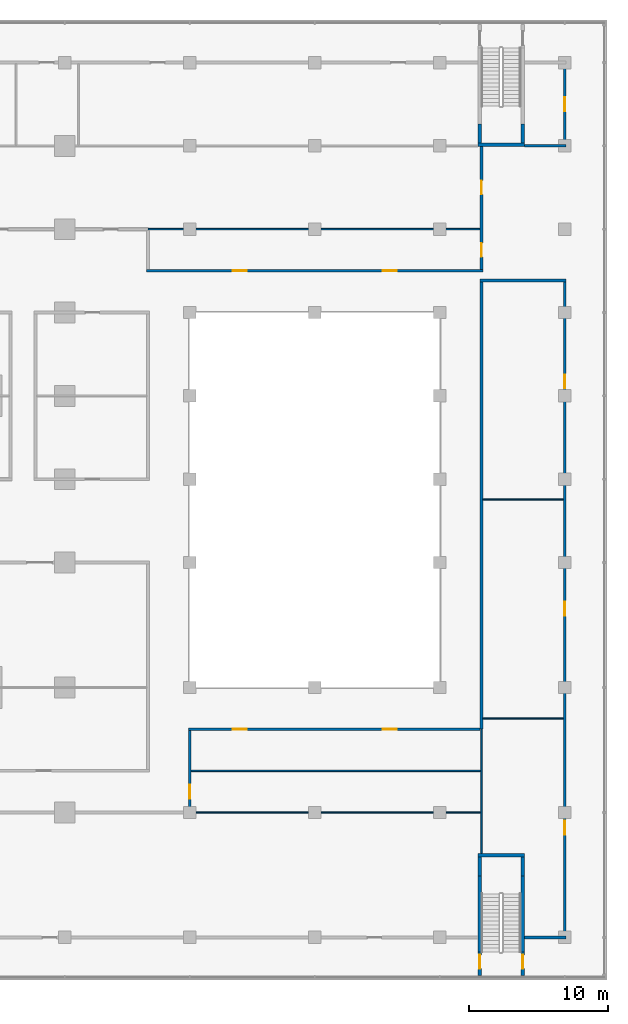
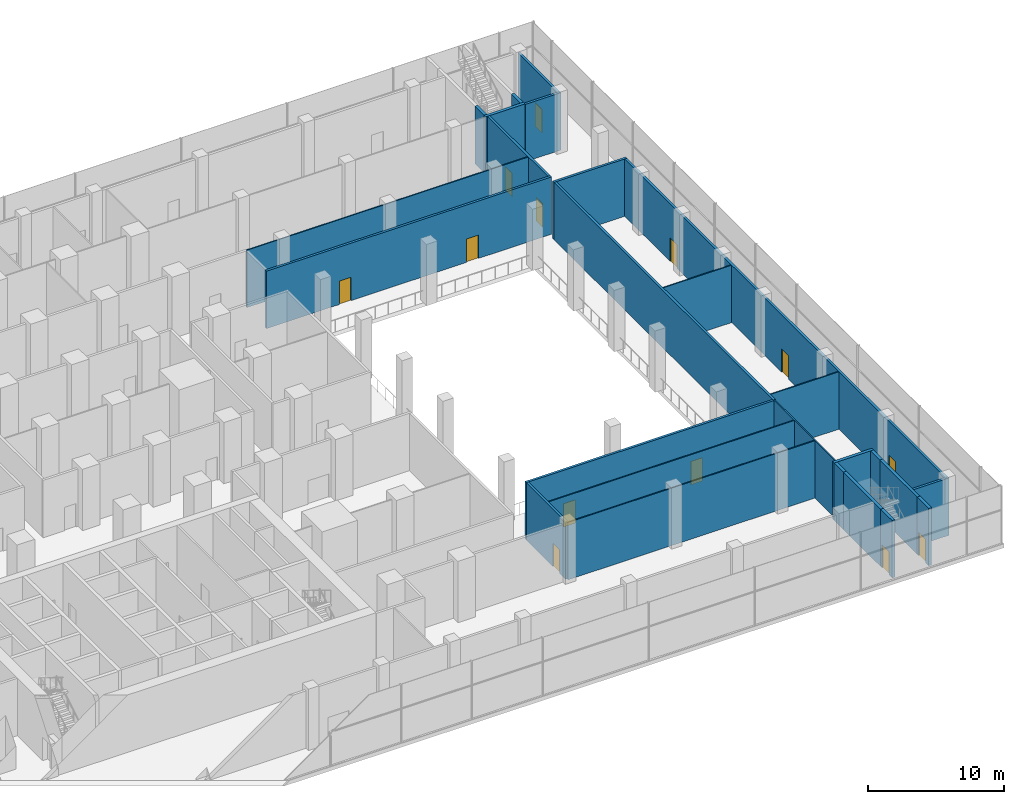
# One storey, part 17 of 22: 26 walls, 13 doors, 13 openings.
"""IFC4 building model written with IfcOpenShell, lengths in metres."""

from ifc_helpers import new_model, si_unit, direction, frame, frame_2d, origin, place, context, subcontext, project, spatial, rectangle, extrude, material, layer, layer_set, type_object, element, fill, save


model = new_model("IFC4")

# Units and contexts
model_context = context("Model", 3, precision=1e-05, world=origin(), true_north=direction((0.0, 1.0)))
body_context = subcontext(model_context, "Body", "Model", "MODEL_VIEW")
ifc_project = project(units=[si_unit("LENGTHUNIT", "METRE"), si_unit("AREAUNIT", "SQUARE_METRE"), si_unit("VOLUMEUNIT", "CUBIC_METRE"), si_unit("PLANEANGLEUNIT", "RADIAN"), si_unit("MASSUNIT", "GRAM", prefix="KILO")], contexts=[model_context])

# Site, building, storey
site_placement = place(None, origin())
site = spatial("IfcSite", under=ifc_project, at=site_placement, CompositionType="ELEMENT")
building_placement = place(site_placement, origin())
building = spatial("IfcBuilding", under=site, at=building_placement, Name="Finial Court Residences", CompositionType="ELEMENT")
storey_placement = place(building_placement, frame((0.0, 0.0, 8.0)))
storey = spatial("IfcBuildingStorey", under=building, at=storey_placement, Name="L01", CompositionType="ELEMENT", Elevation=8.0)

# Wall
ifc_material_1 = material(Name="Gypsum board")
ifc_layer_1 = layer(ifc_material_1, 0.02490234375)
ifc_material_2 = material(Name="Acoustic mineral wool in double frame")
ifc_layer_2 = layer(ifc_material_2, 0.14990234375)
ifc_layer_3 = layer(ifc_material_1, 0.02490234375)
ifc_layer_set_1 = layer_set([ifc_layer_1, ifc_layer_2, ifc_layer_3], Name="Corridor wall 200, 1 hour")
wall_type_1 = type_object("IfcWallType", Name="Corridor wall 200, 1 hour", PredefinedType="PARTITIONING", material=ifc_layer_set_1)
wall_1_placement = place(storey_placement, frame((55.60009765625, -31.5, 0.0), z_axis=(0.0, 0.0, 1.0), x_axis=(1.0, 0.0, 0.0)))
element("IfcWall", 1, at=wall_1_placement, inside=storey, type_object=wall_type_1, Name="Partition L01-002", PredefinedType="PARTITIONING", context=body_context, shape_type="SweptSolid", body=[
    extrude(rectangle(XDim=3.0, YDim=0.199951171875, at=frame_2d((1.5, 0.0))), origin(), (0.0, 0.0, 1.0), 5.14990234375),
])

# Wall, openings, doors
wall_2_placement = place(storey_placement, frame((31.39990234375, -16.5, 0.0), z_axis=(0.0, 0.0, 1.0), x_axis=(1.0, 0.0, 0.0)))
wall_2 = element("IfcWall", 2, at=wall_2_placement, inside=storey, type_object=wall_type_1, Name="Partition L01-011", PredefinedType="PARTITIONING", context=body_context, shape_type="SweptSolid", body=[
    extrude(rectangle(XDim=21.0, YDim=0.199951171875, at=frame_2d((10.5, 0.0))), origin(), (0.0, 0.0, 1.0), 5.14990234375),
])
opening_1_placement = place(wall_2_placement, frame((3.199951171875, 0.0, 0.0)))
opening_1 = element("IfcOpeningElement", 3, at=opening_1_placement, cuts=wall_2, Name="Opening L01-D008", PredefinedType="OPENING", context=body_context, shape_type="SweptSolid", body=[
    extrude(rectangle(XDim=1.0, YDim=2.10009765625, at=frame_2d((0.5, 1.050048828125))), frame((0.0, 0.10986328125, 0.0), z_axis=(0.0, -1.0, 0.0), x_axis=(1.0, 0.0, 0.0)), (0.0, 0.0, 1.0), 0.219970703125),
])
opening_2_placement = place(wall_2_placement, frame((14.0, 0.0, 0.0)))
opening_2 = element("IfcOpeningElement", 4, at=opening_2_placement, cuts=wall_2, Name="Opening L01-D009", PredefinedType="OPENING", context=body_context, shape_type="SweptSolid", body=[
    extrude(rectangle(XDim=1.0, YDim=2.10009765625, at=frame_2d((0.5, 1.050048828125))), frame((0.0, 0.10986328125, 0.0), z_axis=(0.0, -1.0, 0.0), x_axis=(1.0, 0.0, 0.0)), (0.0, 0.0, 1.0), 0.219970703125),
])
ifc_material_3 = material(Name="Timber door leaf in hollow metal frame", Category="wood")
door_type_1 = type_object("IfcDoorType", Name="Fire door set 1000 x 2100, 30 minutes", OperationType="SINGLE_SWING_LEFT", PredefinedType="DOOR", material=ifc_material_3)
door_1_placement = place(opening_1_placement, origin())
door_1 = element("IfcDoor", 5, at=door_1_placement, inside=storey, type_object=door_type_1, Name="Door L01-D008", OperationType="SINGLE_SWING_LEFT", OverallHeight=2.10009765625, OverallWidth=1.0, PredefinedType="DOOR", context=body_context, shape_type="SweptSolid", body=[
    extrude(rectangle(XDim=1.0, YDim=2.10009765625, at=frame_2d((0.5, 1.050048828125))), frame((0.0, 0.02490234375, 0.0), z_axis=(0.0, -1.0, 0.0), x_axis=(1.0, 0.0, 0.0)), (0.0, 0.0, 1.0), 0.050048828125),
])
fill(opening_1, door_1)
door_2_placement = place(opening_2_placement, origin())
door_2 = element("IfcDoor", 6, at=door_2_placement, inside=storey, type_object=door_type_1, Name="Door L01-D009", OperationType="SINGLE_SWING_RIGHT", OverallHeight=2.10009765625, OverallWidth=1.0, PredefinedType="DOOR", context=body_context, shape_type="SweptSolid", body=[
    extrude(rectangle(XDim=1.0, YDim=2.10009765625, at=frame_2d((0.5, 1.050048828125))), frame((0.0, 0.02490234375, 0.0), z_axis=(0.0, -1.0, 0.0), x_axis=(1.0, 0.0, 0.0)), (0.0, 0.0, 1.0), 0.050048828125),
])
fill(opening_2, door_2)

# Wall
wall_3_placement = place(storey_placement, frame((52.39990234375, 15.800048828125, 0.0), z_axis=(0.0, 0.0, 1.0), x_axis=(1.0, 0.0, 0.0)))
element("IfcWall", 7, at=wall_3_placement, inside=storey, type_object=wall_type_1, Name="Partition L01-030", PredefinedType="PARTITIONING", context=body_context, shape_type="SweptSolid", body=[
    extrude(rectangle(XDim=6.2001953125, YDim=0.199951171875, at=frame_2d((3.10009765625, 0.0))), origin(), (0.0, 0.0, 1.0), 5.14990234375),
])

# Wall, openings, doors
wall_4_placement = place(storey_placement, frame((28.39990234375, 16.5, 0.0), z_axis=(0.0, 0.0, 1.0), x_axis=(1.0, 0.0, 0.0)))
wall_4 = element("IfcWall", 8, at=wall_4_placement, inside=storey, type_object=wall_type_1, Name="Partition L01-031", PredefinedType="PARTITIONING", context=body_context, shape_type="SweptSolid", body=[
    extrude(rectangle(XDim=24.2001953125, YDim=0.199951171875, at=frame_2d((12.10009765625, 0.0))), origin(), (0.0, 0.0, 1.0), 5.14990234375),
])
opening_3_placement = place(wall_4_placement, frame((6.199951171875, 0.0, 0.0)))
opening_3 = element("IfcOpeningElement", 9, at=opening_3_placement, cuts=wall_4, Name="Opening L01-D025", PredefinedType="OPENING", context=body_context, shape_type="SweptSolid", body=[
    extrude(rectangle(XDim=1.0, YDim=2.10009765625, at=frame_2d((0.5, 1.050048828125))), frame((0.0, 0.10986328125, 0.0), z_axis=(0.0, -1.0, 0.0), x_axis=(1.0, 0.0, 0.0)), (0.0, 0.0, 1.0), 0.219970703125),
])
opening_4_placement = place(wall_4_placement, frame((17.0, 0.0, 0.0)))
opening_4 = element("IfcOpeningElement", 10, at=opening_4_placement, cuts=wall_4, Name="Opening L01-D026", PredefinedType="OPENING", context=body_context, shape_type="SweptSolid", body=[
    extrude(rectangle(XDim=1.0, YDim=2.10009765625, at=frame_2d((0.5, 1.050048828125))), frame((0.0, 0.10986328125, 0.0), z_axis=(0.0, -1.0, 0.0), x_axis=(1.0, 0.0, 0.0)), (0.0, 0.0, 1.0), 0.219970703125),
])
door_3_placement = place(opening_3_placement, origin())
door_3 = element("IfcDoor", 11, at=door_3_placement, inside=storey, type_object=door_type_1, Name="Door L01-D025", OperationType="SINGLE_SWING_RIGHT", OverallHeight=2.10009765625, OverallWidth=1.0, PredefinedType="DOOR", context=body_context, shape_type="SweptSolid", body=[
    extrude(rectangle(XDim=1.0, YDim=2.10009765625, at=frame_2d((0.5, 1.050048828125))), frame((0.0, 0.02490234375, 0.0), z_axis=(0.0, -1.0, 0.0), x_axis=(1.0, 0.0, 0.0)), (0.0, 0.0, 1.0), 0.050048828125),
])
fill(opening_3, door_3)
door_4_placement = place(opening_4_placement, origin())
door_4 = element("IfcDoor", 12, at=door_4_placement, inside=storey, type_object=door_type_1, Name="Door L01-D026", OperationType="SINGLE_SWING_LEFT", OverallHeight=2.10009765625, OverallWidth=1.0, PredefinedType="DOOR", context=body_context, shape_type="SweptSolid", body=[
    extrude(rectangle(XDim=1.0, YDim=2.10009765625, at=frame_2d((0.5, 1.050048828125))), frame((0.0, 0.02490234375, 0.0), z_axis=(0.0, -1.0, 0.0), x_axis=(1.0, 0.0, 0.0)), (0.0, 0.0, 1.0), 0.050048828125),
])
fill(opening_4, door_4)

# Wall
wall_5_placement = place(storey_placement, frame((55.60009765625, 25.5, 0.0), z_axis=(0.0, 0.0, 1.0), x_axis=(1.0, 0.0, 0.0)))
element("IfcWall", 13, at=wall_5_placement, inside=storey, type_object=wall_type_1, Name="Partition L01-034", PredefinedType="PARTITIONING", context=body_context, shape_type="SweptSolid", body=[
    extrude(rectangle(XDim=3.0, YDim=0.199951171875, at=frame_2d((1.5, 0.0))), origin(), (0.0, 0.0, 1.0), 5.14990234375),
])

# Wall, opening, door
wall_6_placement = place(storey_placement, frame((31.5, -22.39990234375, 0.0), z_axis=(0.0, 0.0, 1.0), x_axis=(0.0, 1.0, 0.0)))
wall_6 = element("IfcWall", 14, at=wall_6_placement, inside=storey, type_object=wall_type_1, Name="Partition L01-062", PredefinedType="PARTITIONING", context=body_context, shape_type="SweptSolid", body=[
    extrude(rectangle(XDim=5.7998046875, YDim=0.199951171875, at=frame_2d((2.89990234375, 0.0))), origin(), (0.0, 0.0, 1.0), 5.14990234375),
])
opening_5_placement = place(wall_6_placement, frame((0.89990234375, 0.0, 0.0)))
opening_5 = element("IfcOpeningElement", 15, at=opening_5_placement, cuts=wall_6, Name="Opening L01-D038", PredefinedType="OPENING", context=body_context, shape_type="SweptSolid", body=[
    extrude(rectangle(XDim=1.0, YDim=2.10009765625, at=frame_2d((0.5, 1.050048828125))), frame((0.0, 0.10986328125, 0.0), z_axis=(0.0, -1.0, 0.0), x_axis=(1.0, 0.0, 0.0)), (0.0, 0.0, 1.0), 0.219970703125),
])
door_5_placement = place(opening_5_placement, origin())
door_5 = element("IfcDoor", 16, at=door_5_placement, inside=storey, type_object=door_type_1, Name="Door L01-D038", OperationType="SINGLE_SWING_LEFT", OverallHeight=2.10009765625, OverallWidth=1.0, PredefinedType="DOOR", context=body_context, shape_type="SweptSolid", body=[
    extrude(rectangle(XDim=1.0, YDim=2.10009765625, at=frame_2d((0.5, 1.050048828125))), frame((0.0, 0.02490234375, 0.0), z_axis=(0.0, -1.0, 0.0), x_axis=(1.0, 0.0, 0.0)), (0.0, 0.0, 1.0), 0.050048828125),
])
fill(opening_5, door_5)

# Wall
wall_7_placement = place(storey_placement, frame((52.5, -16.5, 0.0), z_axis=(0.0, 0.0, 1.0), x_axis=(0.0, 1.0, 0.0)))
element("IfcWall", 17, at=wall_7_placement, inside=storey, type_object=wall_type_1, Name="Partition L01-063", PredefinedType="PARTITIONING", context=body_context, shape_type="SweptSolid", body=[
    extrude(rectangle(XDim=32.199951171875, YDim=0.199951171875, at=frame_2d((16.10009765625, 0.0))), origin(), (0.0, 0.0, 1.0), 5.14990234375),
])

# Wall, openings, doors
wall_8_placement = place(storey_placement, frame((52.5, 16.60009765625, 0.0), z_axis=(0.0, 0.0, 1.0), x_axis=(0.0, 1.0, 0.0)))
wall_8 = element("IfcWall", 18, at=wall_8_placement, inside=storey, type_object=wall_type_1, Name="Partition L01-064", PredefinedType="PARTITIONING", context=body_context, shape_type="SweptSolid", body=[
    extrude(rectangle(XDim=8.869873046875, YDim=0.199951171875, at=frame_2d((4.43505859375, 0.0))), origin(), (0.0, 0.0, 1.0), 5.14990234375),
])
opening_6_placement = place(wall_8_placement, frame((0.89990234375, 0.0, 0.0)))
opening_6 = element("IfcOpeningElement", 19, at=opening_6_placement, cuts=wall_8, Name="Opening L01-D039", PredefinedType="OPENING", context=body_context, shape_type="SweptSolid", body=[
    extrude(rectangle(XDim=1.0, YDim=2.10009765625, at=frame_2d((0.5, 1.050048828125))), frame((0.0, 0.10986328125, 0.0), z_axis=(0.0, -1.0, 0.0), x_axis=(1.0, 0.0, 0.0)), (0.0, 0.0, 1.0), 0.219970703125),
])
opening_7_placement = place(wall_8_placement, frame((5.39990234375, 0.0, 0.0)))
opening_7 = element("IfcOpeningElement", 20, at=opening_7_placement, cuts=wall_8, Name="Opening L01-D040", PredefinedType="OPENING", context=body_context, shape_type="SweptSolid", body=[
    extrude(rectangle(XDim=1.0, YDim=2.10009765625, at=frame_2d((0.5, 1.050048828125))), frame((0.0, 0.10986328125, 0.0), z_axis=(0.0, -1.0, 0.0), x_axis=(1.0, 0.0, 0.0)), (0.0, 0.0, 1.0), 0.219970703125),
])
door_6_placement = place(opening_6_placement, origin())
door_6 = element("IfcDoor", 21, at=door_6_placement, inside=storey, type_object=door_type_1, Name="Door L01-D039", OperationType="SINGLE_SWING_RIGHT", OverallHeight=2.10009765625, OverallWidth=1.0, PredefinedType="DOOR", context=body_context, shape_type="SweptSolid", body=[
    extrude(rectangle(XDim=1.0, YDim=2.10009765625, at=frame_2d((0.5, 1.050048828125))), frame((0.0, 0.02490234375, 0.0), z_axis=(0.0, -1.0, 0.0), x_axis=(1.0, 0.0, 0.0)), (0.0, 0.0, 1.0), 0.050048828125),
])
fill(opening_6, door_6)
door_7_placement = place(opening_7_placement, origin())
door_7 = element("IfcDoor", 22, at=door_7_placement, inside=storey, type_object=door_type_1, Name="Door L01-D040", OperationType="SINGLE_SWING_LEFT", OverallHeight=2.10009765625, OverallWidth=1.0, PredefinedType="DOOR", context=body_context, shape_type="SweptSolid", body=[
    extrude(rectangle(XDim=1.0, YDim=2.10009765625, at=frame_2d((0.5, 1.050048828125))), frame((0.0, 0.02490234375, 0.0), z_axis=(0.0, -1.0, 0.0), x_axis=(1.0, 0.0, 0.0)), (0.0, 0.0, 1.0), 0.050048828125),
])
fill(opening_7, door_7)

wall_9_placement = place(storey_placement, frame((58.5, -31.39990234375, 0.0), z_axis=(0.0, 0.0, 1.0), x_axis=(0.0, 1.0, 0.0)))
wall_9 = element("IfcWall", 23, at=wall_9_placement, inside=storey, type_object=wall_type_1, Name="Partition L01-066", PredefinedType="PARTITIONING", context=body_context, shape_type="SweptSolid", body=[
    extrude(rectangle(XDim=47.099853515625, YDim=0.199951171875, at=frame_2d((23.5498046875, 0.0))), origin(), (0.0, 0.0, 1.0), 5.14990234375),
])
opening_8_placement = place(wall_9_placement, frame((7.300048828125, 0.0, 0.0)))
opening_8 = element("IfcOpeningElement", 24, at=opening_8_placement, cuts=wall_9, Name="Opening L01-D041", PredefinedType="OPENING", context=body_context, shape_type="SweptSolid", body=[
    extrude(rectangle(XDim=1.0, YDim=2.10009765625, at=frame_2d((0.5, 1.050048828125))), frame((0.0, 0.10986328125, 0.0), z_axis=(0.0, -1.0, 0.0), x_axis=(1.0, 0.0, 0.0)), (0.0, 0.0, 1.0), 0.219970703125),
])
opening_9_placement = place(wall_9_placement, frame((23.06689453125, 0.0, 0.0)))
opening_9 = element("IfcOpeningElement", 25, at=opening_9_placement, cuts=wall_9, Name="Opening L01-D042", PredefinedType="OPENING", context=body_context, shape_type="SweptSolid", body=[
    extrude(rectangle(XDim=1.0, YDim=2.10009765625, at=frame_2d((0.5, 1.050048828125))), frame((0.0, 0.10986328125, 0.0), z_axis=(0.0, -1.0, 0.0), x_axis=(1.0, 0.0, 0.0)), (0.0, 0.0, 1.0), 0.219970703125),
])
opening_10_placement = place(wall_9_placement, frame((39.43310546875, 0.0, 0.0)))
opening_10 = element("IfcOpeningElement", 26, at=opening_10_placement, cuts=wall_9, Name="Opening L01-D043", PredefinedType="OPENING", context=body_context, shape_type="SweptSolid", body=[
    extrude(rectangle(XDim=1.0, YDim=2.10009765625, at=frame_2d((0.5, 1.050048828125))), frame((0.0, 0.10986328125, 0.0), z_axis=(0.0, -1.0, 0.0), x_axis=(1.0, 0.0, 0.0)), (0.0, 0.0, 1.0), 0.219970703125),
])
door_8_placement = place(opening_8_placement, origin())
door_8 = element("IfcDoor", 27, at=door_8_placement, inside=storey, type_object=door_type_1, Name="Door L01-D041", OperationType="SINGLE_SWING_RIGHT", OverallHeight=2.10009765625, OverallWidth=1.0, PredefinedType="DOOR", context=body_context, shape_type="SweptSolid", body=[
    extrude(rectangle(XDim=1.0, YDim=2.10009765625, at=frame_2d((0.5, 1.050048828125))), frame((0.0, 0.02490234375, 0.0), z_axis=(0.0, -1.0, 0.0), x_axis=(1.0, 0.0, 0.0)), (0.0, 0.0, 1.0), 0.050048828125),
])
fill(opening_8, door_8)
door_9_placement = place(opening_9_placement, origin())
door_9 = element("IfcDoor", 28, at=door_9_placement, inside=storey, type_object=door_type_1, Name="Door L01-D042", OperationType="SINGLE_SWING_LEFT", OverallHeight=2.10009765625, OverallWidth=1.0, PredefinedType="DOOR", context=body_context, shape_type="SweptSolid", body=[
    extrude(rectangle(XDim=1.0, YDim=2.10009765625, at=frame_2d((0.5, 1.050048828125))), frame((0.0, 0.02490234375, 0.0), z_axis=(0.0, -1.0, 0.0), x_axis=(1.0, 0.0, 0.0)), (0.0, 0.0, 1.0), 0.050048828125),
])
fill(opening_9, door_9)
door_10_placement = place(opening_10_placement, origin())
door_10 = element("IfcDoor", 29, at=door_10_placement, inside=storey, type_object=door_type_1, Name="Door L01-D043", OperationType="SINGLE_SWING_LEFT", OverallHeight=2.10009765625, OverallWidth=1.0, PredefinedType="DOOR", context=body_context, shape_type="SweptSolid", body=[
    extrude(rectangle(XDim=1.0, YDim=2.10009765625, at=frame_2d((0.5, 1.050048828125))), frame((0.0, 0.02490234375, 0.0), z_axis=(0.0, -1.0, 0.0), x_axis=(1.0, 0.0, 0.0)), (0.0, 0.0, 1.0), 0.050048828125),
])
fill(opening_10, door_10)

# Wall, opening, door
wall_10_placement = place(storey_placement, frame((58.5, 25.60009765625, 0.0), z_axis=(0.0, 0.0, 1.0), x_axis=(0.0, 1.0, 0.0)))
wall_10 = element("IfcWall", 30, at=wall_10_placement, inside=storey, type_object=wall_type_1, Name="Partition L01-067", PredefinedType="PARTITIONING", context=body_context, shape_type="SweptSolid", body=[
    extrude(rectangle(XDim=5.7998046875, YDim=0.199951171875, at=frame_2d((2.89990234375, 0.0))), origin(), (0.0, 0.0, 1.0), 5.14990234375),
])
opening_11_placement = place(wall_10_placement, frame((2.39990234375, 0.0, 0.0)))
opening_11 = element("IfcOpeningElement", 31, at=opening_11_placement, cuts=wall_10, Name="Opening L01-D044", PredefinedType="OPENING", context=body_context, shape_type="SweptSolid", body=[
    extrude(rectangle(XDim=1.0, YDim=2.10009765625, at=frame_2d((0.5, 1.050048828125))), frame((0.0, 0.10986328125, 0.0), z_axis=(0.0, -1.0, 0.0), x_axis=(1.0, 0.0, 0.0)), (0.0, 0.0, 1.0), 0.219970703125),
])
door_11_placement = place(opening_11_placement, origin())
door_11 = element("IfcDoor", 32, at=door_11_placement, inside=storey, type_object=door_type_1, Name="Door L01-D044", OperationType="SINGLE_SWING_LEFT", OverallHeight=2.10009765625, OverallWidth=1.0, PredefinedType="DOOR", context=body_context, shape_type="SweptSolid", body=[
    extrude(rectangle(XDim=1.0, YDim=2.10009765625, at=frame_2d((0.5, 1.050048828125))), frame((0.0, 0.02490234375, 0.0), z_axis=(0.0, -1.0, 0.0), x_axis=(1.0, 0.0, 0.0)), (0.0, 0.0, 1.0), 0.050048828125),
])
fill(opening_11, door_11)

# Walls
ifc_layer_4 = layer(ifc_material_1, 0.012451171875)
ifc_material_4 = material(Name="Mineral wool in light-gauge frame")
ifc_layer_5 = layer(ifc_material_4, 0.074951171875)
ifc_layer_6 = layer(ifc_material_1, 0.012451171875)
ifc_layer_set_2 = layer_set([ifc_layer_4, ifc_layer_5, ifc_layer_6], Name="Gypsum board partition 100")
wall_type_2 = type_object("IfcWallType", Name="Gypsum board partition 100", PredefinedType="PARTITIONING", material=ifc_layer_set_2)
wall_11_placement = place(storey_placement, frame((31.5, -22.5, 0.0), z_axis=(0.0, 0.0, 1.0), x_axis=(1.0, 0.0, 0.0)))
element("IfcWall", 33, at=wall_11_placement, inside=storey, type_object=wall_type_2, Name="Partition L01-007", PredefinedType="PARTITIONING", context=body_context, shape_type="SweptSolid", body=[
    extrude(rectangle(XDim=20.949951171875, YDim=0.10009765625, at=frame_2d((10.47509765625, 0.0))), origin(), (0.0, 0.0, 1.0), 5.14990234375),
])
wall_12_placement = place(storey_placement, frame((31.60009765625, -19.5, 0.0), z_axis=(0.0, 0.0, 1.0), x_axis=(1.0, 0.0, 0.0)))
element("IfcWall", 34, at=wall_12_placement, inside=storey, type_object=wall_type_2, Name="Partition L01-010", PredefinedType="PARTITIONING", context=body_context, shape_type="SweptSolid", body=[
    extrude(rectangle(XDim=20.849853515625, YDim=0.10009765625, at=frame_2d((10.4248046875, 0.0))), origin(), (0.0, 0.0, 1.0), 5.14990234375),
])
for number, where, z_axis, x_axis, name in (
    (35, (52.60009765625, -15.73291015625, 0.0), (0.0, 0.0, 1.0), (1.0, 0.0, 0.0), "Partition L01-012"),
    (36, (52.60009765625, 0.032958984375, 0.0), (0.0, 0.0, 1.0), (1.0, 0.0, 0.0), "Partition L01-017"),
):
    element("IfcWall", number, at=place(storey_placement, frame(where, z_axis=z_axis, x_axis=x_axis)), inside=storey, type_object=wall_type_2, Name=name, PredefinedType="PARTITIONING", context=body_context, shape_type="SweptSolid", body=[
        extrude(rectangle(XDim=5.7998046875, YDim=0.10009765625, at=frame_2d((2.89990234375, 0.0))), origin(), (0.0, 0.0, 1.0), 5.14990234375),
    ])
wall_13_placement = place(storey_placement, frame((28.5, 19.5, 0.0), z_axis=(0.0, 0.0, 1.0), x_axis=(1.0, 0.0, 0.0)))
element("IfcWall", 37, at=wall_13_placement, inside=storey, type_object=wall_type_2, Name="Partition L01-033", PredefinedType="PARTITIONING", context=body_context, shape_type="SweptSolid", body=[
    extrude(rectangle(XDim=23.89990234375, YDim=0.10009765625, at=frame_2d((11.949951171875, 0.0))), origin(), (0.0, 0.0, 1.0), 5.14990234375),
])
wall_14_placement = place(storey_placement, frame((52.5, -25.469970703125, 0.0), z_axis=(0.0, 0.0, 1.0), x_axis=(0.0, 1.0, 0.0)))
element("IfcWall", 38, at=wall_14_placement, inside=storey, type_object=wall_type_2, Name="Partition L01-065", PredefinedType="PARTITIONING", context=body_context, shape_type="SweptSolid", body=[
    extrude(rectangle(XDim=8.969970703125, YDim=0.10009765625, at=frame_2d((4.48486328125, 0.0))), origin(), (0.0, 0.0, 1.0), 5.14990234375),
])

# Wall, opening, door
ifc_material_5 = material(Name="Concrete C50/60", Category="concrete")
ifc_layer_7 = layer(ifc_material_5, 0.25)
ifc_layer_set_3 = layer_set([ifc_layer_7], Name="Stair enclosure wall 250 Concrete C50/60")
wall_type_3 = type_object("IfcWallType", Name="Stair enclosure wall 250 Concrete C50/60", PredefinedType="SHEAR", material=ifc_layer_set_3)
wall_15_placement = place(storey_placement, frame((52.375, -32.550048828125, 0.0), z_axis=(0.0, 0.0, 1.0), x_axis=(0.0, -1.0, 0.0)))
wall_15 = element("IfcWall", 39, at=wall_15_placement, inside=storey, type_object=wall_type_3, Name="Exit Stair 3 enclosure wall L01-W1", PredefinedType="SHEAR", context=body_context, shape_type="SweptSolid", body=[
    extrude(rectangle(XDim=1.68994140625, YDim=0.25, at=frame_2d((0.844970703125, 0.0))), origin(), (0.0, 0.0, 1.0), 5.14990234375),
])
opening_12_placement = place(wall_15_placement, frame((0.199951171875, 0.0, 0.0)))
opening_12 = element("IfcOpeningElement", 40, at=opening_12_placement, cuts=wall_15, Name="Opening L01-S3", PredefinedType="OPENING", context=body_context, shape_type="SweptSolid", body=[
    extrude(rectangle(XDim=1.0, YDim=2.10009765625, at=frame_2d((0.5, 1.050048828125))), frame((0.0, 0.135009765625, 0.0), z_axis=(0.0, -1.0, 0.0), x_axis=(1.0, 0.0, 0.0)), (0.0, 0.0, 1.0), 0.27001953125),
])
ifc_material_6 = material(Name="Steel fire door", Category="steel")
door_type_2 = type_object("IfcDoorType", Name="Stair door 1000 x 2100 EI 90", OperationType="NOTDEFINED", PredefinedType="DOOR", material=ifc_material_6)
door_12_placement = place(opening_12_placement, origin())
door_12 = element("IfcDoor", 41, at=door_12_placement, inside=storey, type_object=door_type_2, Name="Exit Stair 3 door L01", OperationType="SINGLE_SWING_RIGHT", OverallHeight=2.10009765625, OverallWidth=1.0, PredefinedType="DOOR", context=body_context, shape_type="SweptSolid", body=[
    extrude(rectangle(XDim=1.0, YDim=2.10009765625, at=frame_2d((0.5, 1.050048828125))), frame((0.0, 0.02490234375, 0.0), z_axis=(0.0, -1.0, 0.0), x_axis=(1.0, 0.0, 0.0)), (0.0, 0.0, 1.0), 0.050048828125),
])
fill(opening_12, door_12)

# Walls
wall_16_placement = place(storey_placement, frame((52.375, -32.550048828125, 0.0), z_axis=(0.0, 0.0, 1.0), x_axis=(0.0, 1.0, 0.0)))
element("IfcWall", 42, at=wall_16_placement, inside=storey, type_object=wall_type_3, Name="Exit Stair 3 enclosure wall L01-W2", PredefinedType="SHEAR", context=body_context, shape_type="SweptSolid", body=[
    extrude(rectangle(XDim=5.47998046875, YDim=0.25, at=frame_2d((2.739990234375, 0.0))), origin(), (0.0, 0.0, 1.0), 5.14990234375),
])
wall_17_placement = place(storey_placement, frame((52.375, -27.070068359375, 0.0), z_axis=(0.0, 0.0, 1.0), x_axis=(0.0, 1.0, 0.0)))
element("IfcWall", 43, at=wall_17_placement, inside=storey, type_object=wall_type_3, Name="Exit Stair 3 enclosure wall L01-W3", PredefinedType="SHEAR", context=body_context, shape_type="SweptSolid", body=[
    extrude(rectangle(XDim=1.35009765625, YDim=0.25, at=frame_2d((0.675048828125, 0.0))), origin(), (0.0, 0.0, 1.0), 5.14990234375),
])

# Wall, opening, door
wall_18_placement = place(storey_placement, frame((55.47509765625, -34.239990234375, 0.0), z_axis=(0.0, 0.0, 1.0), x_axis=(0.0, 1.0, 0.0)))
wall_18 = element("IfcWall", 44, at=wall_18_placement, inside=storey, type_object=wall_type_3, Name="Exit Stair 3 enclosure wall L01-E1", PredefinedType="SHEAR", context=body_context, shape_type="SweptSolid", body=[
    extrude(rectangle(XDim=1.68994140625, YDim=0.25, at=frame_2d((0.844970703125, 0.0))), origin(), (0.0, 0.0, 1.0), 5.14990234375),
])
opening_13_placement = place(wall_18_placement, frame((0.489990234375, 0.0, 0.0)))
opening_13 = element("IfcOpeningElement", 45, at=opening_13_placement, cuts=wall_18, Name="Opening L01-S3E", PredefinedType="OPENING", context=body_context, shape_type="SweptSolid", body=[
    extrude(rectangle(XDim=1.0, YDim=2.10009765625, at=frame_2d((0.5, 1.050048828125))), frame((0.0, 0.135009765625, 0.0), z_axis=(0.0, -1.0, 0.0), x_axis=(1.0, 0.0, 0.0)), (0.0, 0.0, 1.0), 0.27001953125),
])
door_13_placement = place(opening_13_placement, origin())
door_13 = element("IfcDoor", 46, at=door_13_placement, inside=storey, type_object=door_type_2, Name="Exit Stair 3 east door L01", OperationType="SINGLE_SWING_LEFT", OverallHeight=2.10009765625, OverallWidth=1.0, PredefinedType="DOOR", context=body_context, shape_type="SweptSolid", body=[
    extrude(rectangle(XDim=1.0, YDim=2.10009765625, at=frame_2d((0.5, 1.050048828125))), frame((0.0, 0.02490234375, 0.0), z_axis=(0.0, -1.0, 0.0), x_axis=(1.0, 0.0, 0.0)), (0.0, 0.0, 1.0), 0.050048828125),
])
fill(opening_13, door_13)

# Walls
wall_19_placement = place(storey_placement, frame((55.47509765625, -32.550048828125, 0.0), z_axis=(0.0, 0.0, 1.0), x_axis=(0.0, 1.0, 0.0)))
element("IfcWall", 47, at=wall_19_placement, inside=storey, type_object=wall_type_3, Name="Exit Stair 3 enclosure wall L01-E2", PredefinedType="SHEAR", context=body_context, shape_type="SweptSolid", body=[
    extrude(rectangle(XDim=5.47998046875, YDim=0.25, at=frame_2d((2.739990234375, 0.0))), origin(), (0.0, 0.0, 1.0), 5.14990234375),
])
wall_20_placement = place(storey_placement, frame((55.47509765625, -27.070068359375, 0.0), z_axis=(0.0, 0.0, 1.0), x_axis=(0.0, 1.0, 0.0)))
element("IfcWall", 48, at=wall_20_placement, inside=storey, type_object=wall_type_3, Name="Exit Stair 3 enclosure wall L01-E3", PredefinedType="SHEAR", context=body_context, shape_type="SweptSolid", body=[
    extrude(rectangle(XDim=1.35009765625, YDim=0.25, at=frame_2d((0.675048828125, 0.0))), origin(), (0.0, 0.0, 1.0), 5.14990234375),
])
wall_21_placement = place(storey_placement, frame((52.25, -25.594970703125, 0.0), z_axis=(0.0, 0.0, 1.0), x_axis=(1.0, 0.0, 0.0)))
element("IfcWall", 49, at=wall_21_placement, inside=storey, type_object=wall_type_3, Name="Exit Stair 3 enclosure wall L01-N", PredefinedType="SHEAR", context=body_context, shape_type="SweptSolid", body=[
    extrude(rectangle(XDim=3.35009765625, YDim=0.25, at=frame_2d((1.675048828125, 0.0))), origin(), (0.0, 0.0, 1.0), 5.14990234375),
])
for number, where, z_axis, x_axis, name in (
    (50, (52.375, 25.719970703125, 0.0), (0.0, 0.0, 1.0), (0.0, 1.0, 0.0), "Exit Stair 5 enclosure wall L01-W3"),
    (51, (55.47509765625, 25.719970703125, 0.0), (0.0, 0.0, 1.0), (0.0, 1.0, 0.0), "Exit Stair 5 enclosure wall L01-E3"),
):
    element("IfcWall", number, at=place(storey_placement, frame(where, z_axis=z_axis, x_axis=x_axis)), inside=storey, type_object=wall_type_3, Name=name, PredefinedType="SHEAR", context=body_context, shape_type="SweptSolid", body=[
        extrude(rectangle(XDim=1.35009765625, YDim=0.25, at=frame_2d((0.675048828125, 0.0))), origin(), (0.0, 0.0, 1.0), 5.14990234375),
    ])
wall_22_placement = place(storey_placement, frame((52.25, 25.594970703125, 0.0), z_axis=(0.0, 0.0, 1.0), x_axis=(1.0, 0.0, 0.0)))
element("IfcWall", 52, at=wall_22_placement, inside=storey, type_object=wall_type_3, Name="Exit Stair 5 enclosure wall L01-N", PredefinedType="SHEAR", context=body_context, shape_type="SweptSolid", body=[
    extrude(rectangle(XDim=3.35009765625, YDim=0.25, at=frame_2d((1.675048828125, 0.0))), origin(), (0.0, 0.0, 1.0), 5.14990234375),
])

save(model, "model.ifc")
